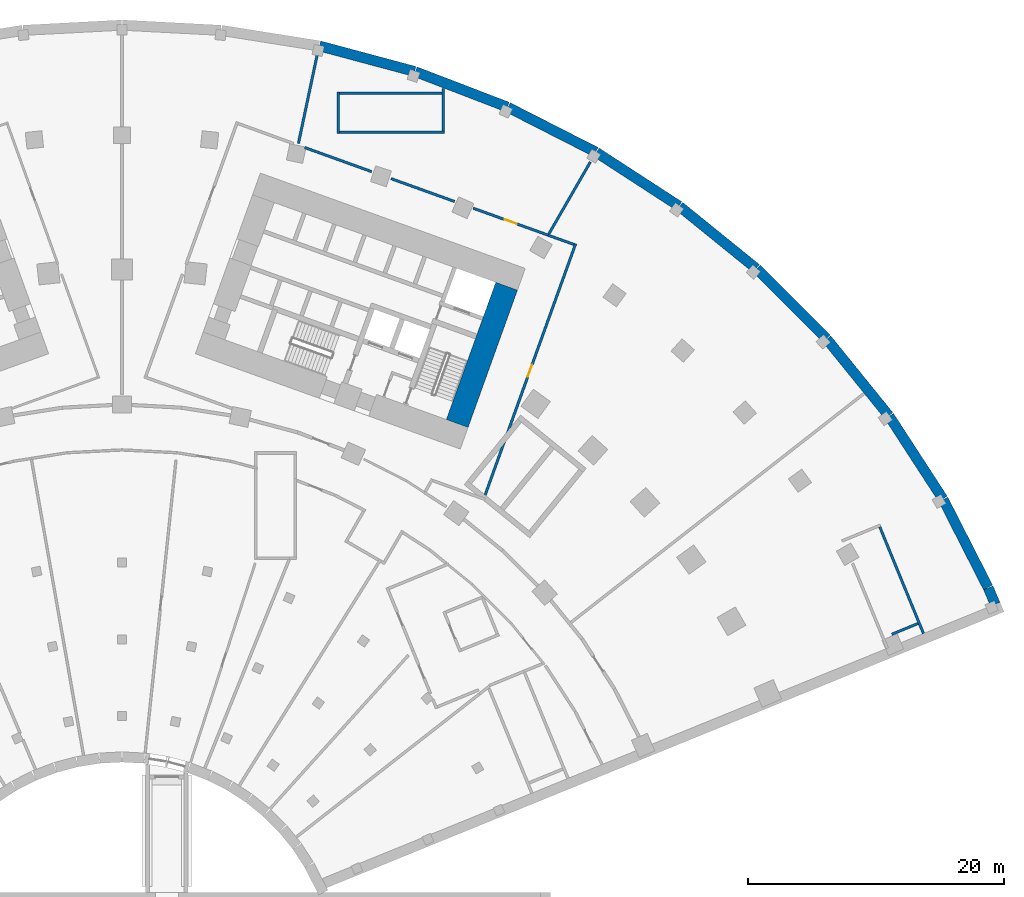
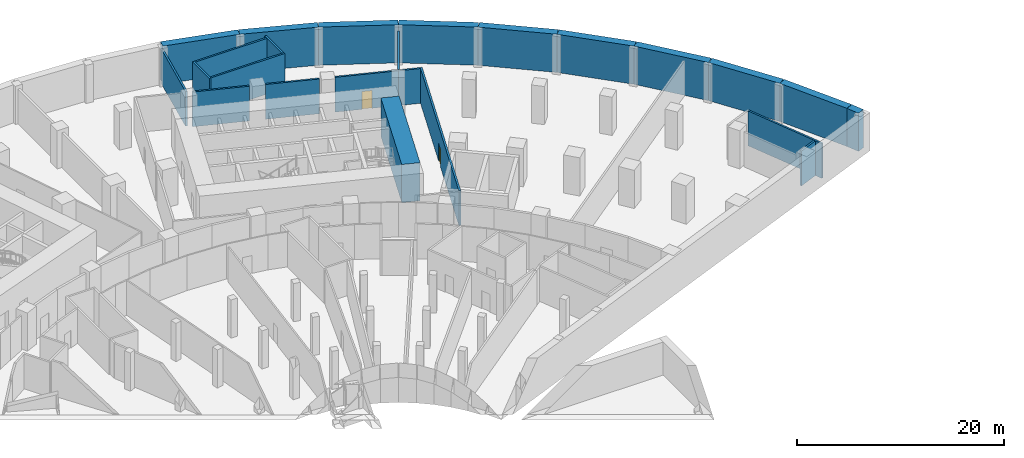
# One storey, part 13 of 23: 24 walls, 2 doors, 2 openings.
"""IFC4 building model written with IfcOpenShell, lengths in metres."""

from ifc_helpers import new_model, si_unit, direction, frame, frame_2d, origin, place, context, subcontext, project, spatial, rectangle, extrude, material, layer, layer_set, type_object, element, fill, save


model = new_model("IFC4")

# Units and contexts
model_context = context("Model", 3, precision=1e-05, world=origin(), true_north=direction((0.0, 1.0)))
body_context = subcontext(model_context, "Body", "Model", "MODEL_VIEW")
ifc_project = project(units=[si_unit("LENGTHUNIT", "METRE"), si_unit("AREAUNIT", "SQUARE_METRE"), si_unit("VOLUMEUNIT", "CUBIC_METRE"), si_unit("PLANEANGLEUNIT", "RADIAN"), si_unit("MASSUNIT", "GRAM", prefix="KILO")], contexts=[model_context])

# Site, building, storey
site_placement = place(None, origin())
site = spatial("IfcSite", under=ifc_project, at=site_placement, CompositionType="ELEMENT")
building_placement = place(site_placement, origin())
building = spatial("IfcBuilding", under=site, at=building_placement, Name="Stone Belt Terrace Tower", CompositionType="ELEMENT")
storey_placement = place(building_placement, frame((0.0, 0.0, -4.5)))
storey = spatial("IfcBuildingStorey", under=building, at=storey_placement, Name="B1", CompositionType="ELEMENT", Elevation=-4.5)

# Walls
ifc_material_1 = material(Name="Concrete B30", Category="concrete")
ifc_layer_1 = layer(ifc_material_1, 0.800048828125)
ifc_layer_set_1 = layer_set([ifc_layer_1], Name="Basement wall 800 B30")
wall_type_1 = type_object("IfcWallType", Name="Basement wall 800 B30", PredefinedType="SHEAR", material=ifc_layer_set_1)
wall_1_placement = place(storey_placement, frame((68.25, 28.837646484375, 0.0), z_axis=(0.0, 0.0, 1.0), x_axis=(-0.393052783466, 0.919515910362, 0.0)))
element("IfcWall", 1, at=wall_1_placement, inside=storey, type_object=wall_type_1, Name="Basement wall B1 24", PredefinedType="SHEAR", context=body_context, shape_type="SweptSolid", body=[
    extrude(rectangle(XDim=1.39453125, YDim=0.800048828125, at=frame_2d((0.697265625, 0.0))), origin(), (0.0, 0.0, 1.0), 4.5),
])
wall_2_placement = place(storey_placement, frame((67.6904296875, 30.144287109375, 0.0), z_axis=(0.0, 0.0, 1.0), x_axis=(-0.453998176185, 0.891002612803, 0.0)))
element("IfcWall", 2, at=wall_2_placement, inside=storey, type_object=wall_type_1, Name="Basement wall B1 25", PredefinedType="SHEAR", context=body_context, shape_type="SweptSolid", body=[
    extrude(rectangle(XDim=7.729248046875, YDim=0.800048828125, at=frame_2d((3.86474609375, 0.0))), origin(), (0.0, 0.0, 1.0), 4.5),
])
for number, where, z_axis, x_axis, name in (
    (3, (64.16064453125, 37.0673828125, 0.0), (0.0, 0.0, 1.0), (-0.544654589696, 0.838660466412, 0.0), "Basement wall B1 26"),
    (4, (59.9345703125, 43.57080078125, 0.0), (0.0, 0.0, 1.0), (-0.629319306922, 0.777146839365, 0.0), "Basement wall B1 27"),
    (5, (55.0517578125, 49.596923828125, 0.0), (0.0, 0.0, 1.0), (-0.707106781187, 0.707106781187, 0.0), "Basement wall B1 28"),
    (6, (49.56591796875, 55.079833984375, 0.0), (0.0, 0.0, 1.0), (-0.777146839365, 0.629319306922, 0.0), "Basement wall B1 29"),
    (7, (43.537109375, 59.958984375, 0.0), (0.0, 0.0, 1.0), (-0.838660466412, 0.544654589696, 0.0), "Basement wall B1 30"),
):
    element("IfcWall", number, at=place(storey_placement, frame(where, z_axis=z_axis, x_axis=x_axis)), inside=storey, type_object=wall_type_1, Name=name, PredefinedType="SHEAR", context=body_context, shape_type="SweptSolid", body=[
        extrude(rectangle(XDim=7.71435546875, YDim=0.800048828125, at=frame_2d((3.857177734375, 0.0))), origin(), (0.0, 0.0, 1.0), 4.5),
    ])
wall_3_placement = place(storey_placement, frame((37.031005859375, 64.181396484375, 0.0), z_axis=(0.0, 0.0, 1.0), x_axis=(-0.89100229919, 0.45399879167, 0.0)))
element("IfcWall", 8, at=wall_3_placement, inside=storey, type_object=wall_type_1, Name="Basement wall B1 31", PredefinedType="SHEAR", context=body_context, shape_type="SweptSolid", body=[
    extrude(rectangle(XDim=7.714111328125, YDim=0.800048828125, at=frame_2d((3.85693359375, 0.0))), origin(), (0.0, 0.0, 1.0), 4.5),
])
wall_4_placement = place(storey_placement, frame((30.119384765625, 67.70068359375, 0.0), z_axis=(0.0, 0.0, 1.0), x_axis=(-0.933576245877, 0.358378840243, 0.0)))
element("IfcWall", 9, at=wall_4_placement, inside=storey, type_object=wall_type_1, Name="Basement wall B1 32", PredefinedType="SHEAR", context=body_context, shape_type="SweptSolid", body=[
    extrude(rectangle(XDim=7.71435546875, YDim=0.800048828125, at=frame_2d((3.857177734375, 0.0))), origin(), (0.0, 0.0, 1.0), 4.5),
])
wall_5_placement = place(storey_placement, frame((22.877685546875, 70.478271484375, 0.0), z_axis=(0.0, 0.0, 1.0), x_axis=(-0.965924317831, 0.25882467468, 0.0)))
element("IfcWall", 10, at=wall_5_placement, inside=storey, type_object=wall_type_1, Name="Basement wall B1 33", PredefinedType="SHEAR", context=body_context, shape_type="SweptSolid", body=[
    extrude(rectangle(XDim=7.714111328125, YDim=0.800048828125, at=frame_2d((3.85693359375, 0.0))), origin(), (0.0, 0.0, 1.0), 4.5),
])
ifc_material_2 = material(Name="Concrete B80", Category="concrete")
ifc_layer_2 = layer(ifc_material_2, 1.800048828125)
ifc_layer_set_2 = layer_set([ifc_layer_2], Name="Core wall 1800 B80")
wall_type_2 = type_object("IfcWallType", Name="Core wall 1800 B80", PredefinedType="SHEAR", material=ifc_layer_set_2)
wall_6_placement = place(storey_placement, frame((26.197509765625, 42.96728515625, 0.0), z_axis=(0.0, 0.0, 1.0), x_axis=(0.338625431531, 0.940921259788, 0.0)))
element("IfcWall", 11, at=wall_6_placement, inside=storey, type_object=wall_type_2, Name="Core B wall end_b B1", PredefinedType="SHEAR", context=body_context, shape_type="SweptSolid", body=[
    extrude(rectangle(XDim=11.400146484375, YDim=1.800048828125, at=frame_2d((5.7001953125, 0.0))), origin(), (0.0, 0.0, 1.0), 4.5),
])
ifc_material_3 = material(Name="Blockwork wall, plastered both faces", Category="masonry")
ifc_layer_3 = layer(ifc_material_3, 0.199951171875)
ifc_layer_set_3 = layer_set([ifc_layer_3], Name="Podium demising wall 200")
wall_type_3 = type_object("IfcWallType", Name="Podium demising wall 200", PredefinedType="PARTITIONING", material=ifc_layer_set_3)
wall_7_placement = place(storey_placement, frame((14.272705078125, 64.531982421875, 0.0), z_axis=(0.0, 0.0, 1.0), x_axis=(0.940910881343, -0.3386542682, 0.0)))
element("IfcWall", 12, at=wall_7_placement, inside=storey, type_object=wall_type_3, Name="Podium demising wall 200", PredefinedType="PARTITIONING", context=body_context, shape_type="SweptSolid", body=[
    extrude(rectangle(XDim=5.569091796875, YDim=0.199951171875, at=frame_2d((2.78466796875, 0.0))), origin(), (0.0, 0.0, 1.0), 4.10009765625),
])
wall_8_placement = place(storey_placement, frame((21.0263671875, 62.10107421875, 0.0), z_axis=(0.0, 0.0, 1.0), x_axis=(0.940919266197, -0.338630970969, 0.0)))
element("IfcWall", 13, at=wall_8_placement, inside=storey, type_object=wall_type_3, Name="Podium demising wall 200", PredefinedType="PARTITIONING", context=body_context, shape_type="SweptSolid", body=[
    extrude(rectangle(XDim=5.275390625, YDim=0.199951171875, at=frame_2d((2.6376953125, 0.0))), origin(), (0.0, 0.0, 1.0), 4.10009765625),
])

# Wall, opening, door
wall_9_placement = place(storey_placement, frame((27.44580078125, 59.79052734375, 0.0), z_axis=(0.0, 0.0, 1.0), x_axis=(0.940914873663, -0.338643175804, 0.0)))
wall_9 = element("IfcWall", 14, at=wall_9_placement, inside=storey, type_object=wall_type_3, Name="Podium demising wall 200", PredefinedType="PARTITIONING", context=body_context, shape_type="SweptSolid", body=[
    extrude(rectangle(XDim=6.232421875, YDim=0.199951171875, at=frame_2d((3.1162109375, 0.0))), origin(), (0.0, 0.0, 1.0), 4.10009765625),
])
opening_1_placement = place(wall_9_placement, frame((2.6162109375, 0.0, 0.0)))
opening_1 = element("IfcOpeningElement", 15, at=opening_1_placement, cuts=wall_9, Name="Opening B1-P19", PredefinedType="OPENING", context=body_context, shape_type="SweptSolid", body=[
    extrude(rectangle(XDim=1.0, YDim=2.10009765625, at=frame_2d((0.5, 1.050048828125))), frame((0.0, 0.10986328125, 0.0), z_axis=(0.0, -1.0, 0.0), x_axis=(1.0, 0.0, 0.0)), (0.0, 0.0, 1.0), 0.219970703125),
])
ifc_material_4 = material(Name="Steel framed door leaf", Category="steel")
door_type = type_object("IfcDoorType", Name="Podium door single 1000", OperationType="SINGLE_SWING_LEFT", PredefinedType="DOOR", material=ifc_material_4)
door_1_placement = place(opening_1_placement, origin())
door_1 = element("IfcDoor", 16, at=door_1_placement, inside=storey, type_object=door_type, Name="Podium door single 1000", OperationType="SINGLE_SWING_LEFT", OverallHeight=2.10009765625, OverallWidth=1.0, PredefinedType="DOOR", context=body_context, shape_type="SweptSolid", body=[
    extrude(rectangle(XDim=1.0, YDim=2.10009765625, at=frame_2d((0.5, 1.050048828125))), frame((0.0, 0.02490234375, 0.0), z_axis=(0.0, -1.0, 0.0), x_axis=(1.0, 0.0, 0.0)), (0.0, 0.0, 1.0), 0.050048828125),
])
fill(opening_1, door_1)

wall_10_placement = place(storey_placement, frame((28.303955078125, 37.1640625, 0.0), z_axis=(0.0, 0.0, 1.0), x_axis=(0.338881725894, 0.94082898332, 0.0)))
wall_10 = element("IfcWall", 17, at=wall_10_placement, inside=storey, type_object=wall_type_3, Name="Podium demising wall 200", PredefinedType="PARTITIONING", context=body_context, shape_type="SweptSolid", body=[
    extrude(rectangle(XDim=21.0986328125, YDim=0.199951171875, at=frame_2d((10.54931640625, 0.0))), origin(), (0.0, 0.0, 1.0), 4.10009765625),
])
opening_2_placement = place(wall_10_placement, frame((10.04931640625, 0.0, 0.0)))
opening_2 = element("IfcOpeningElement", 18, at=opening_2_placement, cuts=wall_10, Name="Opening B1-P20", PredefinedType="OPENING", context=body_context, shape_type="SweptSolid", body=[
    extrude(rectangle(XDim=1.0, YDim=2.10009765625, at=frame_2d((0.5, 1.050048828125))), frame((0.0, 0.10986328125, 0.0), z_axis=(0.0, -1.0, 0.0), x_axis=(1.0, 0.0, 0.0)), (0.0, 0.0, 1.0), 0.219970703125),
])
door_2_placement = place(opening_2_placement, origin())
door_2 = element("IfcDoor", 19, at=door_2_placement, inside=storey, type_object=door_type, Name="Podium door single 1000", OperationType="SINGLE_SWING_RIGHT", OverallHeight=2.10009765625, OverallWidth=1.0, PredefinedType="DOOR", context=body_context, shape_type="SweptSolid", body=[
    extrude(rectangle(XDim=1.0, YDim=2.10009765625, at=frame_2d((0.5, 1.050048828125))), frame((0.0, 0.02490234375, 0.0), z_axis=(0.0, -1.0, 0.0), x_axis=(1.0, 0.0, 0.0)), (0.0, 0.0, 1.0), 0.050048828125),
])
fill(opening_2, door_2)

# Walls
wall_11_placement = place(storey_placement, frame((33.309814453125, 57.676513671875, 0.0), z_axis=(0.0, 0.0, 1.0), x_axis=(0.941318222709, -0.337520375084, 0.0)))
element("IfcWall", 20, at=wall_11_placement, inside=storey, type_object=wall_type_3, Name="Podium demising wall 200", PredefinedType="PARTITIONING", context=body_context, shape_type="SweptSolid", body=[
    extrude(rectangle(XDim=2.141845703125, YDim=0.199951171875, at=frame_2d((1.07080078125, 0.0))), origin(), (0.0, 0.0, 1.0), 4.10009765625),
])
wall_12_placement = place(storey_placement, frame((33.35986328125, 57.78369140625, 0.0), z_axis=(0.0, 0.0, 1.0), x_axis=(0.49994694163, 0.866056034881, 0.0)))
element("IfcWall", 21, at=wall_12_placement, inside=storey, type_object=wall_type_3, Name="Podium demising wall 200", PredefinedType="PARTITIONING", context=body_context, shape_type="SweptSolid", body=[
    extrude(rectangle(XDim=6.495849609375, YDim=0.199951171875, at=frame_2d((3.248046875, 0.0))), origin(), (0.0, 0.0, 1.0), 4.10009765625),
])
ifc_layer_4 = layer(ifc_material_1, 0.199951171875)
ifc_layer_set_4 = layer_set([ifc_layer_4], Name="Podium stair and shaft wall 200")
wall_type_4 = type_object("IfcWallType", Name="Podium stair and shaft wall 200", PredefinedType="SOLIDWALL", material=ifc_layer_set_4)
wall_13_placement = place(storey_placement, frame((13.787353515625, 64.849365234375, 0.0), z_axis=(0.0, 0.0, 1.0), x_axis=(0.207074111956, 0.978325258878, 0.0)))
element("IfcWall", 22, at=wall_13_placement, inside=storey, type_object=wall_type_4, Name="Podium stair and shaft wall 200", PredefinedType="SOLIDWALL", context=body_context, shape_type="SweptSolid", body=[
    extrude(rectangle(XDim=7.39111328125, YDim=0.199951171875, at=frame_2d((3.695556640625, 0.0))), origin(), (0.0, 0.0, 1.0), 4.10009765625),
])
wall_14_placement = place(storey_placement, frame((16.889892578125, 65.6201171875, 0.0), z_axis=(0.0, 0.0, 1.0), x_axis=(0.0, 1.0, 0.0)))
element("IfcWall", 23, at=wall_14_placement, inside=storey, type_object=wall_type_4, Name="Podium stair and shaft wall 200", PredefinedType="SOLIDWALL", context=body_context, shape_type="SweptSolid", body=[
    extrude(rectangle(XDim=3.259765625, YDim=0.199951171875, at=frame_2d((1.6298828125, 0.0))), origin(), (0.0, 0.0, 1.0), 4.10009765625),
])
wall_15_placement = place(storey_placement, frame((16.989990234375, 65.719970703125, 0.0), z_axis=(0.0, 0.0, 1.0), x_axis=(1.0, 0.0, 0.0)))
element("IfcWall", 24, at=wall_15_placement, inside=storey, type_object=wall_type_4, Name="Podium stair and shaft wall 200", PredefinedType="SOLIDWALL", context=body_context, shape_type="SweptSolid", body=[
    extrude(rectangle(XDim=8.219970703125, YDim=0.199951171875, at=frame_2d((4.10986328125, 0.0))), origin(), (0.0, 0.0, 1.0), 4.10009765625),
])
wall_16_placement = place(storey_placement, frame((16.989990234375, 68.780029296875, 0.0), z_axis=(0.0, 0.0, 1.0), x_axis=(1.0, 0.0, 0.0)))
element("IfcWall", 25, at=wall_16_placement, inside=storey, type_object=wall_type_4, Name="Podium stair and shaft wall 200", PredefinedType="SOLIDWALL", context=body_context, shape_type="SweptSolid", body=[
    extrude(rectangle(XDim=8.02001953125, YDim=0.199951171875, at=frame_2d((4.010009765625, 0.0))), origin(), (0.0, 0.0, 1.0), 4.10009765625),
])
wall_17_placement = place(storey_placement, frame((25.110107421875, 65.822021484375, 0.0), z_axis=(0.0, 0.0, 1.0), x_axis=(0.0, 1.0, 0.0)))
element("IfcWall", 26, at=wall_17_placement, inside=storey, type_object=wall_type_4, Name="Podium stair and shaft wall 200", PredefinedType="SOLIDWALL", context=body_context, shape_type="SweptSolid", body=[
    extrude(rectangle(XDim=3.334228515625, YDim=0.199951171875, at=frame_2d((1.6669921875, 0.0))), origin(), (0.0, 0.0, 1.0), 4.10009765625),
])
wall_18_placement = place(storey_placement, frame((59.218017578125, 34.887451171875, 0.0), z_axis=(0.0, 0.0, 1.0), x_axis=(0.379337507632, -0.925258372188, 0.0)))
element("IfcWall", 27, at=wall_18_placement, inside=storey, type_object=wall_type_4, Name="Podium stair and shaft wall 200", PredefinedType="SOLIDWALL", context=body_context, shape_type="SweptSolid", body=[
    extrude(rectangle(XDim=9.01025390625, YDim=0.199951171875, at=frame_2d((4.505126953125, 0.0))), origin(), (0.0, 0.0, 1.0), 4.10009765625),
])
wall_19_placement = place(storey_placement, frame((60.163818359375, 26.4912109375, 0.0), z_axis=(0.0, 0.0, 1.0), x_axis=(0.924790168115, 0.380477522278, 0.0)))
element("IfcWall", 28, at=wall_19_placement, inside=storey, type_object=wall_type_4, Name="Podium stair and shaft wall 200", PredefinedType="SOLIDWALL", context=body_context, shape_type="SweptSolid", body=[
    extrude(rectangle(XDim=2.2099609375, YDim=0.199951171875, at=frame_2d((1.10498046875, 0.0))), origin(), (0.0, 0.0, 1.0), 4.10009765625),
])

save(model, "model.ifc")
